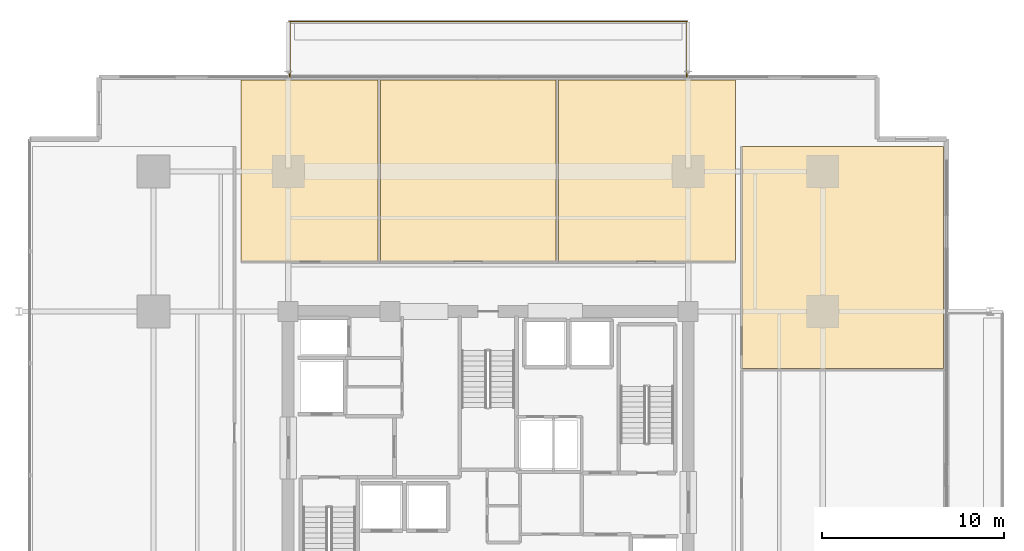
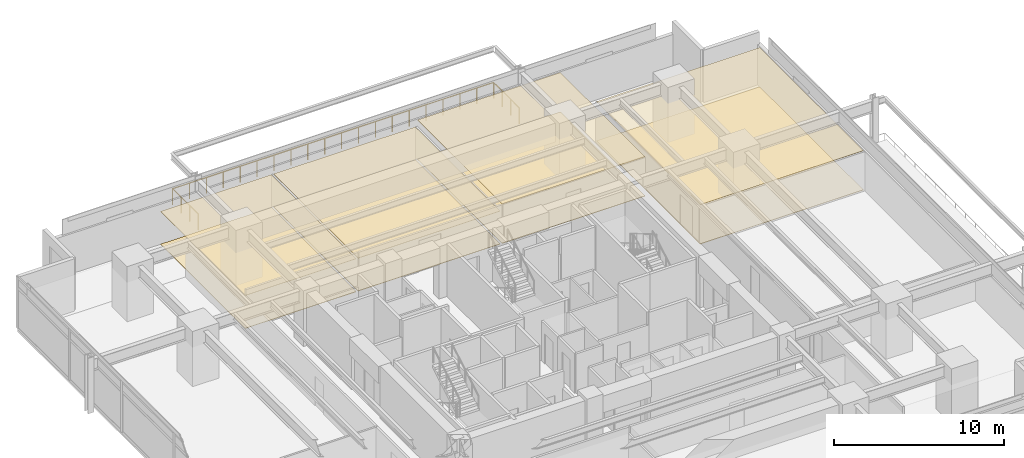
# One storey, part 20 of 20: 8 coverings, 1 railing.
"""IFC4 building model written with IfcOpenShell, lengths in metres."""

from ifc_helpers import new_model, si_unit, direction, frame, origin, origin_2d, place, context, subcontext, project, spatial, polyline, circle, outline, extrude, material, layer, layer_set, type_object, element, save


model = new_model("IFC4")

# Units and contexts
model_context = context("Model", 3, precision=1e-05, world=origin(), true_north=direction((0.0, 1.0)))
body_context = subcontext(model_context, "Body", "Model", "MODEL_VIEW")
ifc_project = project(units=[si_unit("LENGTHUNIT", "METRE"), si_unit("AREAUNIT", "SQUARE_METRE"), si_unit("VOLUMEUNIT", "CUBIC_METRE"), si_unit("PLANEANGLEUNIT", "RADIAN"), si_unit("MASSUNIT", "GRAM", prefix="KILO")], contexts=[model_context])

# Site, building, storey
site_placement = place(None, origin())
site = spatial("IfcSite", under=ifc_project, at=site_placement, CompositionType="ELEMENT")
building_placement = place(site_placement, origin())
building = spatial("IfcBuilding", under=site, at=building_placement, Name="Kovane Verandah Tower", CompositionType="ELEMENT")
storey_placement = place(building_placement, frame((0.0, 0.0, 39.60009765625)))
storey = spatial("IfcBuildingStorey", under=building, at=storey_placement, Name="L08", CompositionType="ELEMENT", Elevation=39.60009765625)

# Coverings
ifc_material_1 = material(Name="Perforated Acoustic Mineral-Fibre Ceiling Tile", Category="gypsum")
ifc_layer_1 = layer(ifc_material_1, 0.02490234375)
ifc_layer_set_1 = layer_set([ifc_layer_1], Name="Perforated Acoustic Mineral-Fibre Ceiling Tile")
covering_type_1 = type_object("IfcCoveringType", Name="CV-CEIL-25", PredefinedType="CEILING", material=ifc_layer_set_1)
covering_1_placement = place(storey_placement, frame((0.0, 0.0, 2.364990234375)))
element("IfcCovering", 1, at=covering_1_placement, inside=storey, type_object=covering_type_1, Name="L08 Executive Office N1 Acoustic Ceiling", PredefinedType="CEILING", context=body_context, shape_type="SweptSolid", body=[
    extrude(outline(polyline([(26.39990234375, 39.25), (33.946044921875, 39.25), (33.946044921875, 49.232177734375), (26.39990234375, 49.232177734375), (26.39990234375, 39.25)])), origin(), (0.0, 0.0, 1.0), 0.02490234375),
])
covering_2_placement = place(storey_placement, frame((0.0, 0.0, 2.364990234375)))
element("IfcCovering", 2, at=covering_2_placement, inside=storey, type_object=covering_type_1, Name="L08 Client Boardroom N2 Acoustic Ceiling", PredefinedType="CEILING", context=body_context, shape_type="SweptSolid", body=[
    extrude(outline(polyline([(34.0859375, 39.25), (43.738037109375, 39.25), (43.738037109375, 49.232177734375), (34.0859375, 49.232177734375), (34.0859375, 39.25)])), origin(), (0.0, 0.0, 1.0), 0.02490234375),
])
covering_3_placement = place(storey_placement, frame((0.0, 0.0, 2.824951171875)))
element("IfcCovering", 3, at=covering_3_placement, inside=storey, type_object=covering_type_1, Name="L08 Meeting Room N3 Acoustic Ceiling", PredefinedType="CEILING", context=body_context, shape_type="SweptSolid", body=[
    extrude(outline(polyline([(43.8779296875, 39.25), (53.60009765625, 39.25), (53.60009765625, 49.232177734375), (43.8779296875, 49.232177734375), (43.8779296875, 39.25)])), origin(), (0.0, 0.0, 1.0), 0.02490234375),
])
covering_4_placement = place(storey_placement, frame((0.0, 0.0, 2.824951171875)))
element("IfcCovering", 4, at=covering_4_placement, inside=storey, type_object=covering_type_1, Name="L08 Client Boardroom E3 Acoustic Ceiling", PredefinedType="CEILING", context=body_context, shape_type="SweptSolid", body=[
    extrude(outline(polyline([(53.949951171875, 33.356201171875), (65.05322265625, 33.356201171875), (65.05322265625, 45.582275390625), (53.949951171875, 45.582275390625), (53.949951171875, 33.356201171875)])), origin(), (0.0, 0.0, 1.0), 0.02490234375),
])
ifc_material_2 = material(Name="Polished Terrazzo and Raised-Access Carpet Tile Finish", Category="concrete")
ifc_layer_2 = layer(ifc_material_2, 0.030029296875)
ifc_layer_set_2 = layer_set([ifc_layer_2], Name="Polished Terrazzo and Raised-Access Carpet Tile Finish")
covering_type_2 = type_object("IfcCoveringType", Name="CV-FLOR-30", PredefinedType="FLOORING", material=ifc_layer_set_2)
covering_5_placement = place(storey_placement, origin())
element("IfcCovering", 5, at=covering_5_placement, inside=storey, type_object=covering_type_2, Name="L08 Executive Office N1 Floor Finish", PredefinedType="FLOORING", context=body_context, shape_type="SweptSolid", body=[
    extrude(outline(polyline([(26.39990234375, 39.25), (33.946044921875, 39.25), (33.946044921875, 49.232177734375), (26.39990234375, 49.232177734375), (26.39990234375, 39.25)])), origin(), (0.0, 0.0, 1.0), 0.02978515625),
])
covering_6_placement = place(storey_placement, origin())
element("IfcCovering", 6, at=covering_6_placement, inside=storey, type_object=covering_type_2, Name="L08 Client Boardroom N2 Floor Finish", PredefinedType="FLOORING", context=body_context, shape_type="SweptSolid", body=[
    extrude(outline(polyline([(34.0859375, 39.25), (43.738037109375, 39.25), (43.738037109375, 49.232177734375), (34.0859375, 49.232177734375), (34.0859375, 39.25)])), origin(), (0.0, 0.0, 1.0), 0.02978515625),
])
covering_7_placement = place(storey_placement, origin())
element("IfcCovering", 7, at=covering_7_placement, inside=storey, type_object=covering_type_2, Name="L08 Meeting Room N3 Floor Finish", PredefinedType="FLOORING", context=body_context, shape_type="SweptSolid", body=[
    extrude(outline(polyline([(43.8779296875, 39.25), (53.60009765625, 39.25), (53.60009765625, 49.232177734375), (43.8779296875, 49.232177734375), (43.8779296875, 39.25)])), origin(), (0.0, 0.0, 1.0), 0.02978515625),
])
covering_8_placement = place(storey_placement, origin())
element("IfcCovering", 8, at=covering_8_placement, inside=storey, type_object=covering_type_2, Name="L08 Client Boardroom E3 Floor Finish", PredefinedType="FLOORING", context=body_context, shape_type="SweptSolid", body=[
    extrude(outline(polyline([(53.949951171875, 33.356201171875), (65.05322265625, 33.356201171875), (65.05322265625, 45.582275390625), (53.949951171875, 45.582275390625), (53.949951171875, 33.356201171875)])), origin(), (0.0, 0.0, 1.0), 0.02978515625),
])

# Railing
ifc_material_3 = material(Name="Laminated Glass and Pale-Champagne Stainless Balustrade", Category="glass")
railing_type = type_object("IfcRailingType", Name="RL-BAL-1150", PredefinedType="BALUSTRADE", material=ifc_material_3)
railing_placement = place(storey_placement, frame((29.080078125, 49.43212890625, 0.0)))
element("IfcRailing", 9, at=railing_placement, inside=storey, type_object=railing_type, Name="L08 N Verandah Glass Balustrade", PredefinedType="BALUSTRADE", context=body_context, shape_type="SweptSolid", body=[
    extrude(circle(Radius=0.02392578125, at=origin_2d()), frame((0.0, 0.0, 1.1259765625), z_axis=(0.0, 1.0, 0.0), x_axis=(-1.0, 0.0, 0.0)), (0.0, 0.0, 1.0), 3.02001953125),
    extrude(circle(Radius=0.02392578125, at=origin_2d()), frame((0.0, 3.02001953125, 1.1259765625), z_axis=(1.0, 0.0, 0.0), x_axis=(0.0, 1.0, 0.0)), (0.0, 0.0, 1.0), 21.83984375),
    extrude(circle(Radius=0.02392578125, at=origin_2d()), frame((21.83984375, 3.02001953125, 1.1259765625), z_axis=(0.0, -1.0, 0.0), x_axis=(1.0, 0.0, 0.0)), (0.0, 0.0, 1.0), 3.02001953125),
    extrude(circle(Radius=0.02099609375, at=origin_2d()), origin(), (0.0, 0.0, 1.0), 1.101806640625),
    extrude(circle(Radius=0.02099609375, at=origin_2d()), frame((0.0, 1.006591796875, 0.0)), (0.0, 0.0, 1.0), 1.101806640625),
    extrude(circle(Radius=0.02099609375, at=origin_2d()), frame((0.0, 2.013427734375, 0.0)), (0.0, 0.0, 1.0), 1.101806640625),
    extrude(circle(Radius=0.02099609375, at=origin_2d()), frame((0.0, 3.02001953125, 0.0)), (0.0, 0.0, 1.0), 1.101806640625),
    extrude(circle(Radius=0.02099609375, at=origin_2d()), frame((1.1494140625, 3.02001953125, 0.0)), (0.0, 0.0, 1.0), 1.101806640625),
    extrude(circle(Radius=0.02099609375, at=origin_2d()), frame((2.298828125, 3.02001953125, 0.0)), (0.0, 0.0, 1.0), 1.101806640625),
    extrude(circle(Radius=0.02099609375, at=origin_2d()), frame((3.448486328125, 3.02001953125, 0.0)), (0.0, 0.0, 1.0), 1.101806640625),
    extrude(circle(Radius=0.02099609375, at=origin_2d()), frame((4.597900390625, 3.02001953125, 0.0)), (0.0, 0.0, 1.0), 1.101806640625),
    extrude(circle(Radius=0.02099609375, at=origin_2d()), frame((5.747314453125, 3.02001953125, 0.0)), (0.0, 0.0, 1.0), 1.101806640625),
    extrude(circle(Radius=0.02099609375, at=origin_2d()), frame((6.896728515625, 3.02001953125, 0.0)), (0.0, 0.0, 1.0), 1.101806640625),
    extrude(circle(Radius=0.02099609375, at=origin_2d()), frame((8.046142578125, 3.02001953125, 0.0)), (0.0, 0.0, 1.0), 1.101806640625),
    extrude(circle(Radius=0.02099609375, at=origin_2d()), frame((9.19580078125, 3.02001953125, 0.0)), (0.0, 0.0, 1.0), 1.101806640625),
    extrude(circle(Radius=0.02099609375, at=origin_2d()), frame((10.34521484375, 3.02001953125, 0.0)), (0.0, 0.0, 1.0), 1.101806640625),
    extrude(circle(Radius=0.02099609375, at=origin_2d()), frame((11.49462890625, 3.02001953125, 0.0)), (0.0, 0.0, 1.0), 1.101806640625),
    extrude(circle(Radius=0.02099609375, at=origin_2d()), frame((12.64404296875, 3.02001953125, 0.0)), (0.0, 0.0, 1.0), 1.101806640625),
    extrude(circle(Radius=0.02099609375, at=origin_2d()), frame((13.793701171875, 3.02001953125, 0.0)), (0.0, 0.0, 1.0), 1.101806640625),
    extrude(circle(Radius=0.02099609375, at=origin_2d()), frame((14.943115234375, 3.02001953125, 0.0)), (0.0, 0.0, 1.0), 1.101806640625),
    extrude(circle(Radius=0.02099609375, at=origin_2d()), frame((16.092529296875, 3.02001953125, 0.0)), (0.0, 0.0, 1.0), 1.101806640625),
    extrude(circle(Radius=0.02099609375, at=origin_2d()), frame((17.241943359375, 3.02001953125, 0.0)), (0.0, 0.0, 1.0), 1.101806640625),
    extrude(circle(Radius=0.02099609375, at=origin_2d()), frame((18.391357421875, 3.02001953125, 0.0)), (0.0, 0.0, 1.0), 1.101806640625),
    extrude(circle(Radius=0.02099609375, at=origin_2d()), frame((19.541015625, 3.02001953125, 0.0)), (0.0, 0.0, 1.0), 1.101806640625),
    extrude(circle(Radius=0.02099609375, at=origin_2d()), frame((20.6904296875, 3.02001953125, 0.0)), (0.0, 0.0, 1.0), 1.101806640625),
    extrude(circle(Radius=0.02099609375, at=origin_2d()), frame((21.83984375, 3.02001953125, 0.0)), (0.0, 0.0, 1.0), 1.101806640625),
    extrude(circle(Radius=0.02099609375, at=origin_2d()), frame((21.83984375, 2.013427734375, 0.0)), (0.0, 0.0, 1.0), 1.101806640625),
    extrude(circle(Radius=0.02099609375, at=origin_2d()), frame((21.83984375, 1.006591796875, 0.0)), (0.0, 0.0, 1.0), 1.101806640625),
    extrude(circle(Radius=0.02099609375, at=origin_2d()), frame((21.83984375, 0.0, 0.0)), (0.0, 0.0, 1.0), 1.101806640625),
])

save(model, "model.ifc")
